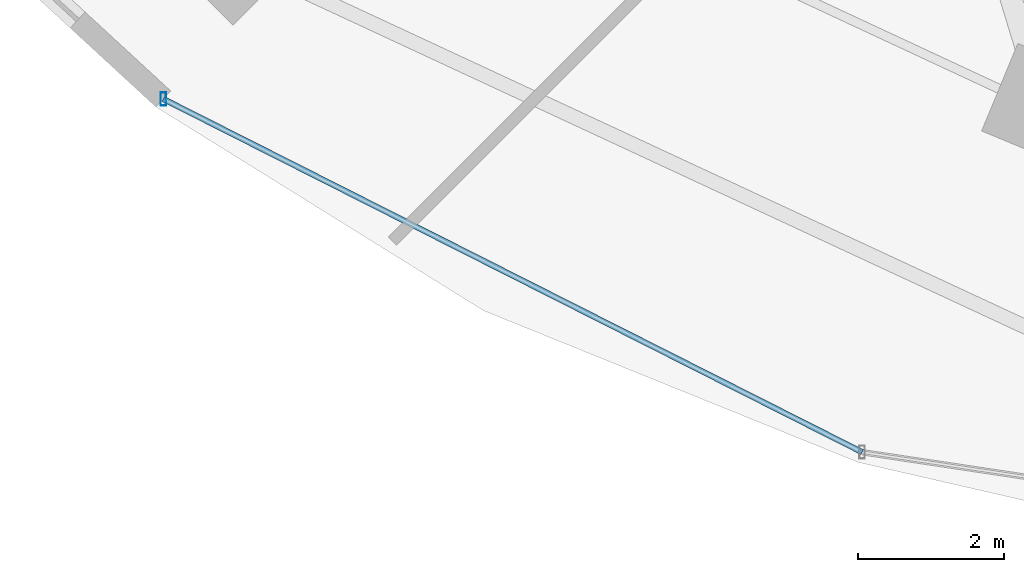
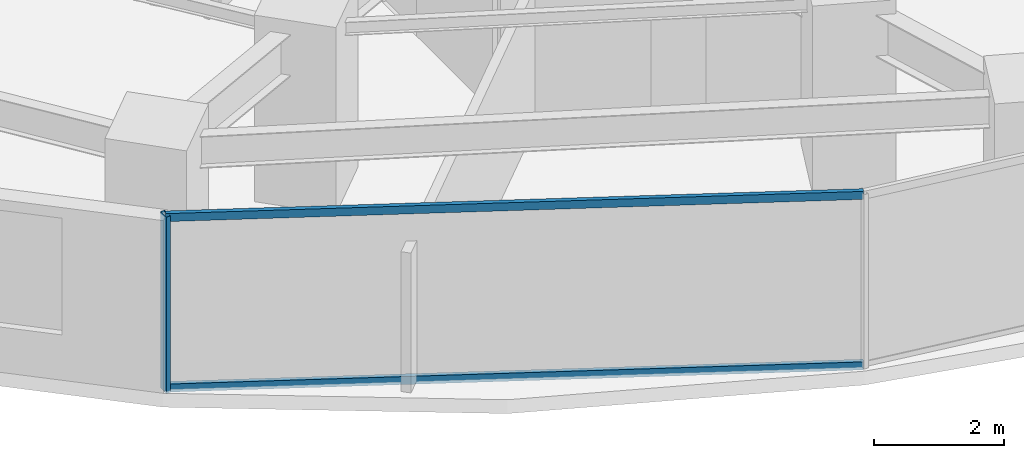
# One storey, part 2 of 35: 3 members, 1 element without a shape of its own.
"""IFC4 building model written with IfcOpenShell, lengths in metres."""

from ifc_helpers import new_model, si_unit, direction, frame, origin, origin_2d, place, context, subcontext, project, spatial, hollow_rectangle, extrude, material, material_profile, profile_set, type_object, element, aggregate, save


model = new_model("IFC4")

# Units and contexts
model_context = context("Model", 3, precision=1e-05, world=origin(), true_north=direction((0.0, 1.0)))
body_context = subcontext(model_context, "Body", "Model", "MODEL_VIEW")
ifc_project = project(units=[si_unit("LENGTHUNIT", "METRE"), si_unit("AREAUNIT", "SQUARE_METRE"), si_unit("VOLUMEUNIT", "CUBIC_METRE"), si_unit("PLANEANGLEUNIT", "RADIAN"), si_unit("MASSUNIT", "GRAM", prefix="KILO")], contexts=[model_context])

# Site, building, storey
site_placement = place(None, origin())
site = spatial("IfcSite", under=ifc_project, at=site_placement, CompositionType="ELEMENT")
building_placement = place(site_placement, origin())
building = spatial("IfcBuilding", under=site, at=building_placement, Name="Vorneva Point Tower", CompositionType="ELEMENT")
storey_placement = place(building_placement, frame((0.0, 0.0, 45.0)))
storey = spatial("IfcBuildingStorey", under=building, at=storey_placement, Name="L11", CompositionType="ELEMENT", Elevation=45.0)

# Curtain wall, members
ifc_material = material(Name="Pale anodised aluminium", Category="aluminium")
curtain_wall_type = type_object("IfcCurtainWallType", Name="CW-HTL-SYS", PredefinedType="NOTDEFINED", material=ifc_material)
curtain_wall_placement = place(storey_placement, origin())
curtain_wall = element("IfcCurtainWall", 1, at=curtain_wall_placement, inside=storey, type_object=curtain_wall_type, Name="L11 Unitised Curtain Wall CW-L11-R04", PredefinedType="NOTDEFINED")
ifc_material_profile_1 = material_profile(ifc_material, hollow_rectangle(XDim=0.074951171875, YDim=0.179931640625, WallThickness=0.00390625, at=origin_2d()), Name="AL-MUL 180x75x4")
ifc_profile_set_1 = profile_set([ifc_material_profile_1], Name="Pale anodised aluminium")
member_type_1 = type_object("IfcMemberType", Name="CW-MUL-180", PredefinedType="MULLION", material=ifc_profile_set_1)
member_1_placement = place(storey_placement, frame((17.10498046875, 10.1962890625, -0.0400390625), z_axis=(0.0, 0.0, 1.0), x_axis=(1.0, 0.0, 0.0)))
member_1 = element("IfcMember", 2, at=member_1_placement, type_object=member_type_1, Name="CW-L11-R04 Mullion 01", PredefinedType="MULLION", context=body_context, shape_type="SweptSolid", body=[
    extrude(hollow_rectangle(XDim=0.074951171875, YDim=0.179931640625, WallThickness=0.00390625, at=origin_2d()), origin(), (0.0, 0.0, 1.0), 3.31005859375),
])
ifc_material_profile_2 = material_profile(ifc_material, hollow_rectangle(XDim=0.074951171875, YDim=0.14990234375, WallThickness=0.00390625, at=origin_2d()), Name="AL-TRN 150x75x4")
ifc_profile_set_2 = profile_set([ifc_material_profile_2], Name="Pale anodised aluminium")
member_type_2 = type_object("IfcMemberType", Name="CW-TRN-150", PredefinedType="USERDEFINED", material=ifc_profile_set_2)
member_2_placement = place(storey_placement, frame((17.10498046875, 10.1962890625, 0.02001953125), z_axis=(0.892496057621, -0.451055192999, 0.0), x_axis=(0.451055192999, 0.892496057621, 0.0)))
member_2 = element("IfcMember", 3, at=member_2_placement, type_object=member_type_2, Name="CW-L11-R04 Transom 01.1", ObjectType="TRANSOM", PredefinedType="USERDEFINED", context=body_context, shape_type="SweptSolid", body=[
    extrude(hollow_rectangle(XDim=0.074951171875, YDim=0.14990234375, WallThickness=0.00390625, at=origin_2d()), origin(), (0.0, 0.0, 1.0), 10.741455078125),
])
member_3_placement = place(storey_placement, frame((17.10498046875, 10.1962890625, 3.219970703125), z_axis=(0.892496057621, -0.451055192999, 0.0), x_axis=(0.451055192999, 0.892496057621, 0.0)))
member_3 = element("IfcMember", 4, at=member_3_placement, type_object=member_type_2, Name="CW-L11-R04 Transom 01.2", ObjectType="TRANSOM", PredefinedType="USERDEFINED", context=body_context, shape_type="SweptSolid", body=[
    extrude(hollow_rectangle(XDim=0.074951171875, YDim=0.14990234375, WallThickness=0.00390625, at=origin_2d()), origin(), (0.0, 0.0, 1.0), 10.741455078125),
])
aggregate(curtain_wall, [member_1, member_2, member_3])

save(model, "model.ifc")
